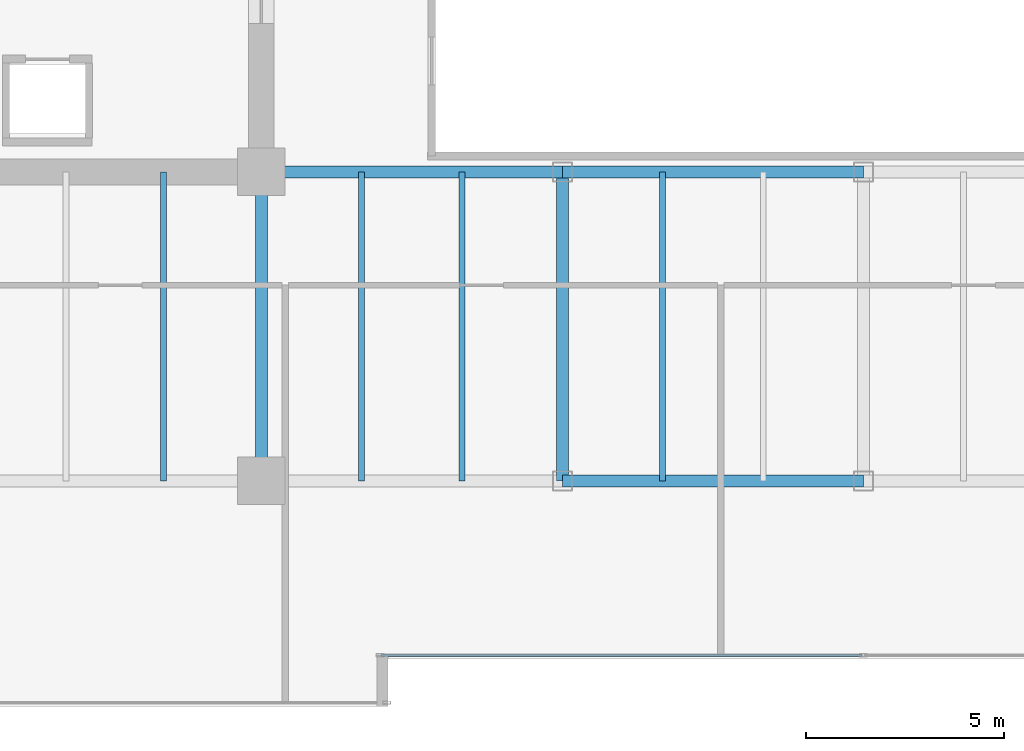
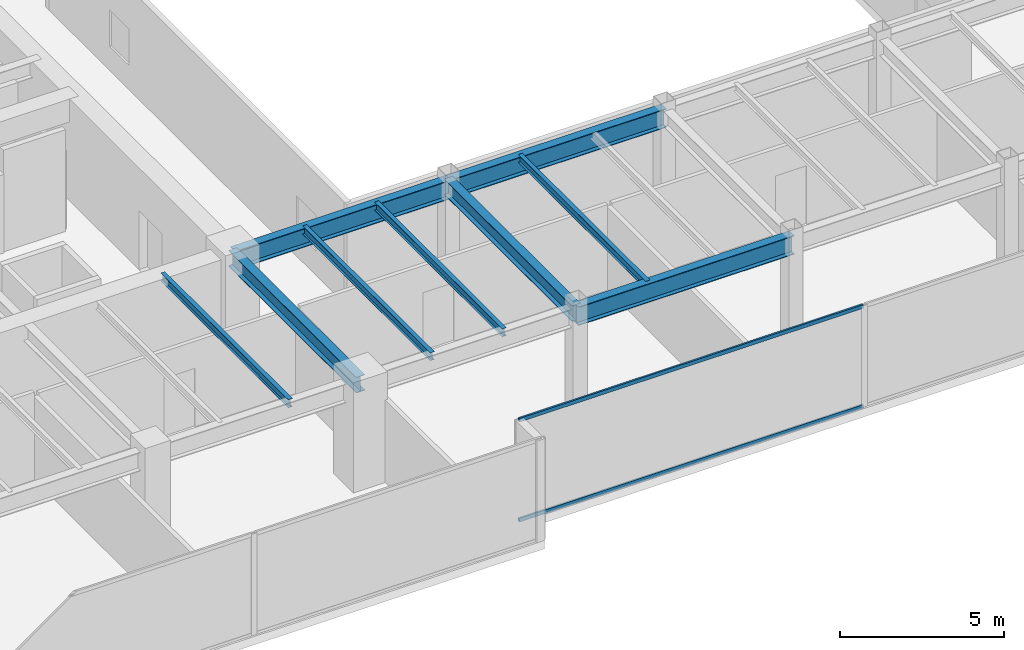
# One storey, part 5 of 30: 9 beams, 2 members, 1 element without a shape of its own.
"""IFC4 building model written with IfcOpenShell, lengths in metres."""

import ifcopenshell
import ifcopenshell.guid

model = None  # the IFC model being written
_history = None  # IfcOwnerHistory: only IFC2X3 demands one
_inside = {}  # id of a spatial element -> (the spatial element, [elements in it])
_under = {}  # id of a project, library or spatial element -> (it, [spatial elements below it])
_declared = {}  # id of a project -> (the project, [libraries it declares])
_typed = {}  # id of a type object -> (the type object, [elements of that type])
_made_of = {}  # id of a material, layer set ... -> (it, [elements and type objects made of it])


def new_model(schema):
    """Start an empty IFC model of exactly this schema.

    Asked for "IFC4X3", IfcOpenShell would pick the latest addendum, in which some entities
    have other attributes; the version numbers below select the first issue.
    IFC2X3 requires an IfcOwnerHistory on every rooted entity: one is made here for all.
    """
    global model, _history
    if schema == "IFC4X3":
        model = ifcopenshell.file(schema_version=(4, 3, 0, 0))
    else:
        model = ifcopenshell.file(schema=schema)
    _inside.clear()
    _under.clear()
    _declared.clear()
    _typed.clear()
    _made_of.clear()
    _history = None
    if model.schema == "IFC2X3":
        org = make("IfcOrganization", Name="unknown")
        user = make(
            "IfcPersonAndOrganization",
            ThePerson=make("IfcPerson", FamilyName="unknown"),
            TheOrganization=org,
        )
        app = make(
            "IfcApplication",
            ApplicationDeveloper=org,
            Version="unknown",
            ApplicationFullName="unknown",
            ApplicationIdentifier="unknown",
        )
        _history = make(
            "IfcOwnerHistory",
            OwningUser=user,
            OwningApplication=app,
            ChangeAction="ADDED",
            CreationDate=0,
        )
    return model


def make(cls, **values):
    """One entity of the class cls with the attributes given. An attribute that is None is left unset."""
    return model.create_entity(
        cls, **{name: value for name, value in values.items() if value is not None}
    )


def rooted(cls, **values):
    """An entity with a GlobalId (a new one), such as an element, a storey or a relation."""
    return make(cls, GlobalId=ifcopenshell.guid.new(), OwnerHistory=_history, **values)


def si_unit(unit_type, name, prefix=None):
    """IfcSIUnit, for example si_unit("LENGTHUNIT", "METRE", prefix="MILLI")."""
    return make("IfcSIUnit", UnitType=unit_type, Prefix=prefix, Name=name)


def assignment(units):
    """IfcUnitAssignment: the units of a project."""
    return None if units is None else make("IfcUnitAssignment", Units=units)


def point(xyz):
    """IfcCartesianPoint."""
    return None if xyz is None else make("IfcCartesianPoint", Coordinates=xyz)


def direction(xyz):
    """IfcDirection."""
    return None if xyz is None else make("IfcDirection", DirectionRatios=xyz)


def frame(location, z_axis=None, x_axis=None):
    """IfcAxis2Placement3D, a coordinate frame: its origin and axes. An axis left out is left unset."""
    return make(
        "IfcAxis2Placement3D",
        Location=point(location),
        Axis=direction(z_axis),
        RefDirection=direction(x_axis),
    )


def frame_2d(location, x_axis=None):
    """IfcAxis2Placement2D, a coordinate frame in the plane: its origin and x axis."""
    return make(
        "IfcAxis2Placement2D", Location=point(location), RefDirection=direction(x_axis)
    )


def origin():
    """The frame at (0, 0, 0) with its axes left unset."""
    return frame((0.0, 0.0, 0.0))


def origin_2d():
    """The frame at (0, 0) in the plane with its x axis left unset."""
    return frame_2d((0.0, 0.0))


def place(relative_to, where):
    """IfcLocalPlacement: puts the frame where relative to a parent placement (None: the world)."""
    return make(
        "IfcLocalPlacement", PlacementRelTo=relative_to, RelativePlacement=where
    )


def context(
    kind, dimensions, precision=None, world=None, true_north=None, identifier=None
):
    """IfcGeometricRepresentationContext, for example the 3D "Model" context."""
    return make(
        "IfcGeometricRepresentationContext",
        ContextIdentifier=identifier,
        ContextType=kind,
        CoordinateSpaceDimension=dimensions,
        Precision=precision,
        WorldCoordinateSystem=world,
        TrueNorth=true_north,
    )


def subcontext(parent, identifier, kind, view, scale=None):
    """IfcGeometricRepresentationSubContext, for example "Body" below "Model"."""
    return make(
        "IfcGeometricRepresentationSubContext",
        ContextIdentifier=identifier,
        ContextType=kind,
        ParentContext=parent,
        TargetScale=scale,
        TargetView=view,
    )


def project(units=None, contexts=None):
    """IfcProject with its units and contexts."""
    return rooted(
        "IfcProject",
        Name="project",
        RepresentationContexts=contexts,
        UnitsInContext=assignment(units),
    )


def spatial(cls, under=None, at=None, **own):
    """A site, building, storey or space (cls), placed at a placement, below another one or the project."""
    s = rooted(cls, ObjectPlacement=at, **own)
    if under is not None:
        _under.setdefault(under.id(), (under, []))[1].append(s)
    return s


def profile(cls, at=None, kind="AREA", **sizes):
    """A parametric profile (cls). Its sizes go by their IFC names, for example OverallWidth=200.0."""
    return make(cls, ProfileType=kind, Position=at, **sizes)


def hollow_rectangle(**sizes):
    """IfcRectangleHollowProfileDef."""
    return profile("IfcRectangleHollowProfileDef", **sizes)


def i_section(**sizes):
    """IfcIShapeProfileDef."""
    return profile("IfcIShapeProfileDef", **sizes)


def extrude(swept, where, along, depth):
    """IfcExtrudedAreaSolid: the profile swept, set in the frame where, extruded along a direction by depth."""
    return make(
        "IfcExtrudedAreaSolid",
        SweptArea=swept,
        Position=where,
        ExtrudedDirection=direction(along),
        Depth=depth,
    )


def shape(context_of_items, identifier, shape_type, items):
    """IfcShapeRepresentation: the items that make up one representation, for example the "Body"."""
    return make(
        "IfcShapeRepresentation",
        ContextOfItems=context_of_items,
        RepresentationIdentifier=identifier,
        RepresentationType=shape_type,
        Items=items,
    )


def source(mapping_origin, context_of_items, identifier, shape_type, items):
    """IfcRepresentationMap: a shape defined once, which mapped items show again and again."""
    return make(
        "IfcRepresentationMap",
        MappingOrigin=mapping_origin,
        MappedRepresentation=shape(context_of_items, identifier, shape_type, items),
    )


def transform(
    local_origin,
    x_axis=None,
    y_axis=None,
    z_axis=None,
    scale=None,
    scale2=None,
    scale3=None,
    uniform=True,
):
    """IfcCartesianTransformationOperator3D, or its non-uniform kind. x_axis, y_axis, z_axis: its Axis1, 2, 3."""
    if uniform:
        return make(
            "IfcCartesianTransformationOperator3D",
            Axis1=direction(x_axis),
            Axis2=direction(y_axis),
            LocalOrigin=point(local_origin),
            Scale=scale,
            Axis3=direction(z_axis),
        )
    return make(
        "IfcCartesianTransformationOperator3DnonUniform",
        Axis1=direction(x_axis),
        Axis2=direction(y_axis),
        LocalOrigin=point(local_origin),
        Scale=scale,
        Axis3=direction(z_axis),
        Scale2=scale2,
        Scale3=scale3,
    )


def mapped(mapping_source, mapping_target):
    """IfcMappedItem: shows the shape of a source again, moved by a transform."""
    return make(
        "IfcMappedItem", MappingSource=mapping_source, MappingTarget=mapping_target
    )


def material(Name=None, Category=None):
    """IfcMaterial."""
    return make("IfcMaterial", Name=Name, Category=Category)


def layer(
    of_material, thickness, ventilated=None, Name=None, Category=None, Priority=None
):
    """IfcMaterialLayer: one layer of a wall or slab, of a material (None: an air gap)."""
    return make(
        "IfcMaterialLayer",
        Material=of_material,
        LayerThickness=thickness,
        IsVentilated=ventilated,
        Name=Name,
        Category=Category,
        Priority=Priority,
    )


def layer_set(layers, Name=None):
    """IfcMaterialLayerSet."""
    return make("IfcMaterialLayerSet", MaterialLayers=layers, LayerSetName=Name)


def material_profile(
    of_material, cross_section, Name=None, Category=None, Priority=None
):
    """IfcMaterialProfile: a cross section and its material."""
    return make(
        "IfcMaterialProfile",
        Name=Name,
        Material=of_material,
        Profile=cross_section,
        Priority=Priority,
        Category=Category,
    )


def profile_set(profiles, Name=None, composite=None):
    """IfcMaterialProfileSet."""
    return make(
        "IfcMaterialProfileSet",
        Name=Name,
        MaterialProfiles=profiles,
        CompositeProfile=composite,
    )


def made_of(thing, what):
    """Note that an element or type object is made of a material, layer set ...; save() writes the relation."""
    if what is not None:
        _made_of.setdefault(what.id(), (what, []))[1].append(thing)
    return thing


def type_object(cls, material=None, **own):
    """A type object (cls), such as IfcWallType, which elements share."""
    return made_of(rooted(cls, **own), material)


def type_shapes(of_type, sources):
    """Give a type object the sources (RepresentationMaps) that its elements show as mapped items."""
    of_type.RepresentationMaps = sources


def element(
    cls,
    number,
    at=None,
    inside=None,
    cuts=None,
    type_object=None,
    material=None,
    context=None,
    identifier="Body",
    shape_type=None,
    held_by="IfcProductDefinitionShape",
    body=None,
    shapes=None,
    **own,
):
    """One element of the class cls, such as IfcWall. Its Tag is "e" and its number.

    at: its placement. inside: the storey or other place that contains it. cuts: it is an
    opening in that element (IfcRelVoidsElement). A single representation is given by context,
    identifier, shape_type and body (its items); several are given by shapes. held_by: the class
    of the entity that holds the representations. save() writes the other relations.
    """
    e = rooted(cls, Tag="e%d" % number, ObjectPlacement=at, **own)
    if body is not None:
        shapes = [shape(context, identifier, shape_type, body)]
    if shapes is not None:
        e.Representation = make(held_by, Representations=shapes)
    if inside is not None:
        _inside.setdefault(inside.id(), (inside, []))[1].append(e)
    if cuts is not None:
        rooted(
            "IfcRelVoidsElement", RelatingBuildingElement=cuts, RelatedOpeningElement=e
        )
    if type_object is not None:
        _typed.setdefault(type_object.id(), (type_object, []))[1].append(e)
    return made_of(e, material)


def aggregate(whole, parts):
    """IfcRelAggregates: a whole, such as a stair, and the parts it consists of."""
    return rooted("IfcRelAggregates", RelatingObject=whole, RelatedObjects=parts)


def save(model, path):
    """Write the relations noted so far, then the file.

    IfcRelAggregates (storeys below a building ...), IfcRelContainedInSpatialStructure (elements
    in a storey), IfcRelDefinesByType, IfcRelAssociatesMaterial and IfcRelDeclares: one each for
    every whole, place, type object, material and project.
    """
    for whole, parts in _under.values():
        aggregate(whole, parts)
    for where, things in _inside.values():
        rooted(
            "IfcRelContainedInSpatialStructure",
            RelatedElements=things,
            RelatingStructure=where,
        )
    for kind, things in _typed.values():
        rooted("IfcRelDefinesByType", RelatedObjects=things, RelatingType=kind)
    for what, things in _made_of.values():
        rooted("IfcRelAssociatesMaterial", RelatedObjects=things, RelatingMaterial=what)
    for by, libraries in _declared.values():
        rooted("IfcRelDeclares", RelatingContext=by, RelatedDefinitions=libraries)
    model.write(path)


model = new_model("IFC4")

# Units and contexts
model_context = context("Model", 3, precision=1e-05, world=origin(), true_north=direction((0.0, 1.0)))
body_context = subcontext(model_context, "Body", "Model", "MODEL_VIEW")
ifc_project = project(units=[si_unit("LENGTHUNIT", "METRE"), si_unit("AREAUNIT", "SQUARE_METRE"), si_unit("VOLUMEUNIT", "CUBIC_METRE"), si_unit("PLANEANGLEUNIT", "RADIAN"), si_unit("MASSUNIT", "GRAM", prefix="KILO")], contexts=[model_context])

# Site, building, storey
site_placement = place(None, origin())
site = spatial("IfcSite", under=ifc_project, at=site_placement, CompositionType="ELEMENT")
building_placement = place(site_placement, origin())
building = spatial("IfcBuilding", under=site, at=building_placement, Name="Haelvirn Gate Laboratories", CompositionType="ELEMENT")
storey_placement = place(building_placement, frame((0.0, 0.0, 162.5)))
storey = spatial("IfcBuildingStorey", under=building, at=storey_placement, Name="L39", CompositionType="ELEMENT", Elevation=162.5)

# Beams
ifc_material_1 = material(Name="Steel SM355", Category="steel")
ifc_material_profile_1 = material_profile(ifc_material_1, i_section(OverallWidth=0.300048828125, OverallDepth=0.699951171875, WebThickness=0.012939453125, FlangeThickness=0.02392578125, at=origin_2d()), Name="H-700x300x13x24")
ifc_profile_set_1 = profile_set([ifc_material_profile_1], Name="Steel SM355")
beam_type_1 = type_object("IfcBeamType", Name="BM-G-700", PredefinedType="BEAM", material=ifc_profile_set_1)
shared_shape_1 = source(origin(), body_context, "Body", "SweptSolid", [
    extrude(i_section(OverallWidth=0.300048828125, OverallDepth=0.699951171875, WebThickness=0.012939453125, FlangeThickness=0.02392578125, at=origin_2d()), origin(), (0.0, 0.0, 1.0), 7.60009765625),
])
beam_placement = place(storey_placement, frame((22.199951171875, 14.800048828125, 3.43994140625), z_axis=(1.0, 0.0, 0.0), x_axis=(0.0, 1.0, 0.0)))
element("IfcBeam", 1, at=beam_placement, inside=storey, type_object=beam_type_1, Name="L39 Primary Girder Y14.8 (22.2-29.8)", PredefinedType="BEAM", context=body_context, shape_type="MappedRepresentation", body=[
    mapped(shared_shape_1, transform((0.0, 0.0, 0.0), scale=1.0)),
])
shared_shape_2 = source(origin(), body_context, "Body", "SweptSolid", [
    extrude(i_section(OverallWidth=0.300048828125, OverallDepth=0.699951171875, WebThickness=0.012939453125, FlangeThickness=0.02392578125, at=origin_2d()), origin(), (0.0, 0.0, 1.0), 7.599853515625),
])
type_shapes(beam_type_1, [shared_shape_1, shared_shape_2])
for number, where, z_axis, x_axis, name in (
    (2, (29.800048828125, 7.0, 3.43994140625), (1.0, 0.0, 0.0), (0.0, 1.0, 0.0), "L39 Primary Girder Y7.0 (29.8-37.4)"),
    (3, (29.800048828125, 14.800048828125, 3.43994140625), (1.0, 0.0, 0.0), (0.0, 1.0, 0.0), "L39 Primary Girder Y14.8 (29.8-37.4)"),
):
    element("IfcBeam", number, at=place(storey_placement, frame(where, z_axis=z_axis, x_axis=x_axis)), inside=storey, type_object=beam_type_1, Name=name, PredefinedType="BEAM", context=body_context, shape_type="MappedRepresentation", body=[
        mapped(shared_shape_2, transform((0.0, 0.0, 0.0), scale=1.0)),
    ])
ifc_material_profile_2 = material_profile(ifc_material_1, i_section(OverallWidth=0.14990234375, OverallDepth=0.300048828125, WebThickness=0.006591796875, FlangeThickness=0.009033203125, at=origin_2d()), Name="H-300x150x6.5x9")
ifc_profile_set_2 = profile_set([ifc_material_profile_2], Name="Steel SM355")
beam_type_2 = type_object("IfcBeamType", Name="BM-J-300", PredefinedType="JOIST", material=ifc_profile_set_2)
shared_shape_3 = source(origin(), body_context, "Body", "SweptSolid", [
    extrude(i_section(OverallWidth=0.14990234375, OverallDepth=0.300048828125, WebThickness=0.006591796875, FlangeThickness=0.009033203125, at=origin_2d()), origin(), (0.0, 0.0, 1.0), 7.800048828125),
])
type_shapes(beam_type_2, [shared_shape_3])
for number, where, z_axis, x_axis, name in (
    (4, (19.72998046875, 7.0, 3.639892578125), (0.0, 1.0, 0.0), (-1.0, 0.0, 0.0), "L39 Composite Lab Joist South X19.73"),
    (5, (24.72998046875, 7.0, 3.639892578125), (0.0, 1.0, 0.0), (-1.0, 0.0, 0.0), "L39 Composite Lab Joist South X24.73"),
    (6, (27.27001953125, 7.0, 3.639892578125), (0.0, 1.0, 0.0), (-1.0, 0.0, 0.0), "L39 Composite Lab Joist South X27.27"),
    (7, (32.330078125, 7.0, 3.639892578125), (0.0, 1.0, 0.0), (-1.0, 0.0, 0.0), "L39 Composite Lab Joist South X32.33"),
):
    element("IfcBeam", number, at=place(storey_placement, frame(where, z_axis=z_axis, x_axis=x_axis)), inside=storey, type_object=beam_type_2, Name=name, PredefinedType="JOIST", context=body_context, shape_type="MappedRepresentation", body=[
        mapped(shared_shape_3, transform((0.0, 0.0, 0.0), scale=1.0)),
    ])
ifc_material_profile_3 = material_profile(ifc_material_1, i_section(OverallWidth=0.300048828125, OverallDepth=0.587890625, WebThickness=0.011962890625, FlangeThickness=0.02001953125, at=origin_2d()), Name="H-588x300x12x20")
ifc_profile_set_3 = profile_set([ifc_material_profile_3], Name="Steel SM355")
beam_type_3 = type_object("IfcBeamType", Name="BM-G-588", PredefinedType="BEAM", material=ifc_profile_set_3)
shared_shape_4 = source(origin(), body_context, "Body", "SweptSolid", [
    extrude(i_section(OverallWidth=0.300048828125, OverallDepth=0.587890625, WebThickness=0.011962890625, FlangeThickness=0.02001953125, at=origin_2d()), origin(), (0.0, 0.0, 1.0), 7.800048828125),
])
type_shapes(beam_type_3, [shared_shape_4])
for number, where, z_axis, x_axis, name in (
    (8, (22.199951171875, 7.0, 3.49609375), (0.0, 1.0, 0.0), (-1.0, 0.0, 0.0), "L39 Frame Girder X22.2 (7.0-14.8)"),
    (9, (29.800048828125, 7.0, 3.49609375), (0.0, 1.0, 0.0), (-1.0, 0.0, 0.0), "L39 Frame Girder X29.8 (7.0-14.8)"),
):
    element("IfcBeam", number, at=place(storey_placement, frame(where, z_axis=z_axis, x_axis=x_axis)), inside=storey, type_object=beam_type_3, Name=name, PredefinedType="BEAM", context=body_context, shape_type="MappedRepresentation", body=[
        mapped(shared_shape_4, transform((0.0, 0.0, 0.0), scale=1.0)),
    ])

# Curtain wall, members
ifc_material_2 = material(Name="Anodised bronze unitised aluminium & triple low-E glass", Category="aluminium")
ifc_layer = layer(ifc_material_2, 0.179931640625, Name="CW-SYS-3")
ifc_layer_set = layer_set([ifc_layer], Name="Anodised bronze unitised aluminium & triple low-E glass")
curtain_wall_type = type_object("IfcCurtainWallType", Name="CW-SYS-3", PredefinedType="NOTDEFINED", material=ifc_layer_set)
curtain_wall_placement = place(storey_placement, origin())
curtain_wall = element("IfcCurtainWall", 10, at=curtain_wall_placement, inside=storey, type_object=curtain_wall_type, Name="L39 Unitised Curtain Wall CW-L39-P0-E02-1", PredefinedType="NOTDEFINED")
ifc_material_3 = material(Name="Extruded aluminium 6063-T6 (anodised bronze)", Category="aluminium")
ifc_material_profile_4 = material_profile(ifc_material_3, hollow_rectangle(XDim=0.06494140625, YDim=0.139892578125, WallThickness=0.00390625, at=origin_2d()), Name="CWT-140x65x4")
ifc_profile_set_4 = profile_set([ifc_material_profile_4], Name="Extruded aluminium 6063-T6 (anodised bronze)")
member_type = type_object("IfcMemberType", Name="CWT-T140", PredefinedType="USERDEFINED", material=ifc_profile_set_4)
shared_shape_5 = source(origin(), body_context, "Body", "SweptSolid", [
    extrude(hollow_rectangle(XDim=0.06494140625, YDim=0.139892578125, WallThickness=0.00390625, at=origin_2d()), origin(), (0.0, 0.0, 1.0), 12.12744140625),
])
type_shapes(member_type, [shared_shape_5])
member_1_placement = place(storey_placement, frame((25.235107421875, 2.60009765625, 0.032470703125), z_axis=(1.0, 0.0, 0.0), x_axis=(0.0, 1.0, 0.0)))
member_1 = element("IfcMember", 11, at=member_1_placement, type_object=member_type, Name="CW3 transom 1.1", ObjectType="TRANSOM", PredefinedType="USERDEFINED", context=body_context, shape_type="MappedRepresentation", body=[
    mapped(shared_shape_5, transform((0.0, 0.0, 0.0), scale=1.0)),
])
member_2_placement = place(storey_placement, frame((25.235107421875, 2.60009765625, 3.757568359375), z_axis=(1.0, 0.0, 0.0), x_axis=(0.0, 1.0, 0.0)))
member_2 = element("IfcMember", 12, at=member_2_placement, type_object=member_type, Name="CW3 transom 1.2", ObjectType="TRANSOM", PredefinedType="USERDEFINED", context=body_context, shape_type="MappedRepresentation", body=[
    mapped(shared_shape_5, transform((0.0, 0.0, 0.0), scale=1.0)),
])
aggregate(curtain_wall, [member_1, member_2])

save(model, "model.ifc")
